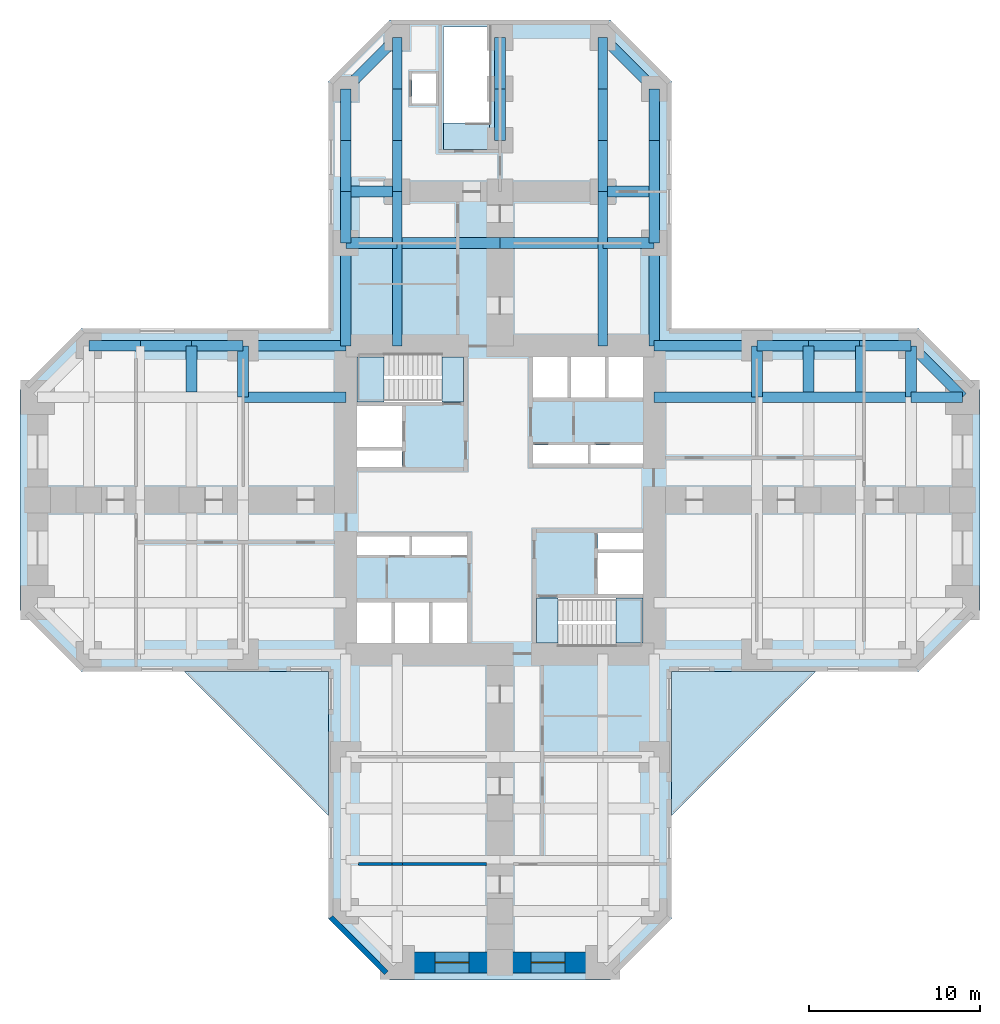
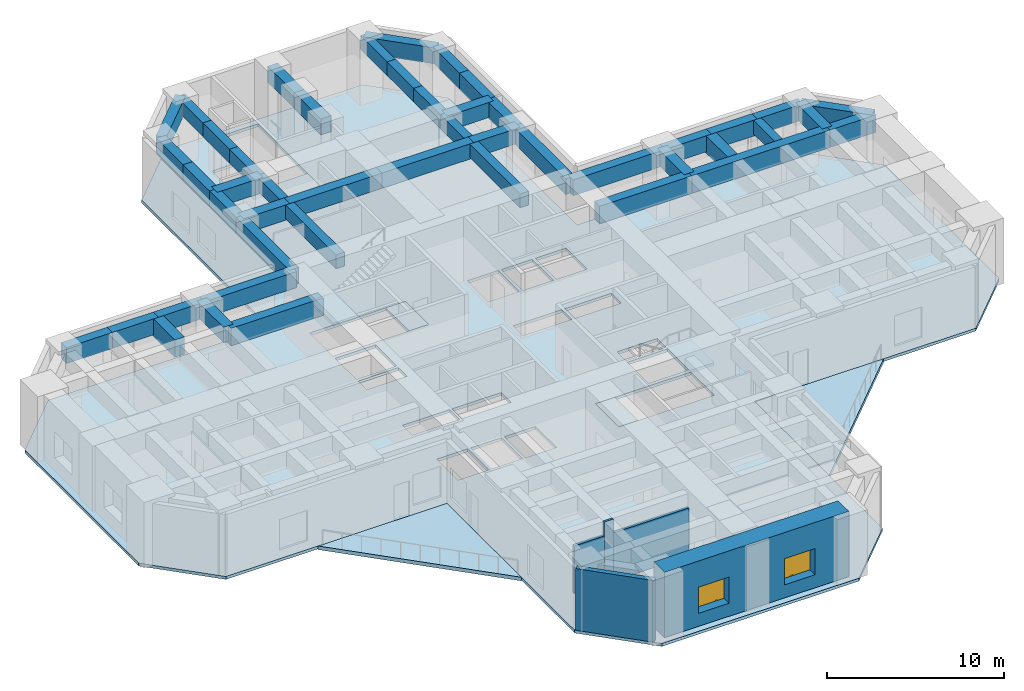
# One storey, part 2 of 8: 47 beams, 8 slabs, 5 walls, 2 windows, 2 openings, 2 elements without a shape of their own.
"""IFC4 building model written with IfcOpenShell, lengths in metres."""

from ifc_helpers import new_model, si_unit, direction, frame, frame_2d, origin, origin_2d, place, context, subcontext, project, spatial, polyline, rectangle, hollow_rectangle, outline, extrude, material, layer, layer_set, constituent, constituent_set, material_profile, profile_set, type_object, element, fill, aggregate, save


model = new_model("IFC4")

# Units and contexts
model_context = context("Model", 3, precision=1e-05, world=origin(), true_north=direction((0.0, 1.0)))
body_context = subcontext(model_context, "Body", "Model", "MODEL_VIEW")
ifc_project = project(units=[si_unit("LENGTHUNIT", "METRE"), si_unit("AREAUNIT", "SQUARE_METRE"), si_unit("VOLUMEUNIT", "CUBIC_METRE"), si_unit("PLANEANGLEUNIT", "RADIAN"), si_unit("MASSUNIT", "GRAM", prefix="KILO")], contexts=[model_context])

# Site, building, storey
site_placement = place(None, origin())
site = spatial("IfcSite", under=ifc_project, at=site_placement, CompositionType="ELEMENT")
building_placement = place(site_placement, origin())
building = spatial("IfcBuilding", under=site, at=building_placement, Name="Torre Cruceta", CompositionType="ELEMENT")
storey_placement = place(building_placement, frame((0.0, 0.0, 14.0)))
storey = spatial("IfcBuildingStorey", under=building, at=storey_placement, Name="L03", CompositionType="ELEMENT", Elevation=14.0)

# Beams
ifc_material_1 = material(Name="Concrete G60 (fck 60 MPa)", Category="concrete")
ifc_material_profile_1 = material_profile(ifc_material_1, rectangle(XDim=0.64990234375, YDim=1.10009765625, at=origin_2d()), Name="RC 650X1100")
ifc_profile_set_1 = profile_set([ifc_material_profile_1], Name="Concrete G60 (fck 60 MPa)")
beam_type_1 = type_object("IfcBeamType", Name="ARM CENTRE BEAM RC 650X1100", PredefinedType="BEAM", material=ifc_profile_set_1)
for number, where, z_axis, x_axis, name in (
    (1, (0.0, 21.0, 3.699951171875), (0.0, 1.0, 0.0), (-1.0, 0.0, 0.0), "MB2 L03 N centre 1"),
    (2, (0.0, 24.0, 3.699951171875), (0.0, 1.0, 0.0), (-1.0, 0.0, 0.0), "MB2 L03 N centre 2"),
):
    element("IfcBeam", number, at=place(storey_placement, frame(where, z_axis=z_axis, x_axis=x_axis)), inside=storey, type_object=beam_type_1, Name=name, PredefinedType="BEAM", context=body_context, shape_type="SweptSolid", body=[
        extrude(rectangle(XDim=0.64990234375, YDim=1.10009765625, at=origin_2d()), origin(), (0.0, 0.0, 1.0), 3.0),
    ])
ifc_material_2 = material(Name="Concrete G60 (fck 60 MPa)", Category="concrete")
ifc_material_profile_2 = material_profile(ifc_material_2, rectangle(XDim=0.550048828125, YDim=0.949951171875, at=origin_2d()), Name="RC 550X950")
ifc_profile_set_2 = profile_set([ifc_material_profile_2], Name="Concrete G60 (fck 60 MPa)")
beam_type_2 = type_object("IfcBeamType", Name="COLUMN LINE BEAM RC 550X950", PredefinedType="BEAM", material=ifc_profile_set_2)
beam_1_placement = place(storey_placement, frame((6.0, 9.0, 3.77490234375), z_axis=(0.0, 1.0, 0.0), x_axis=(-1.0, 0.0, 0.0)))
element("IfcBeam", 3, at=beam_1_placement, inside=storey, type_object=beam_type_2, Name="LB3 L03 N col- 1", PredefinedType="BEAM", context=body_context, shape_type="SweptSolid", body=[
    extrude(rectangle(XDim=0.550048828125, YDim=0.949951171875, at=origin_2d()), origin(), (0.0, 0.0, 1.0), 6.0),
])
for number, where, z_axis, x_axis, name in (
    (4, (6.0, 15.0, 3.77490234375), (0.0, 1.0, 0.0), (-1.0, 0.0, 0.0), "LB3 L03 N col- 2"),
    (5, (6.0, 18.0, 3.77490234375), (0.0, 1.0, 0.0), (-1.0, 0.0, 0.0), "LB3 L03 N col- 3"),
    (6, (6.0, 21.0, 3.77490234375), (0.0, 1.0, 0.0), (-1.0, 0.0, 0.0), "LB3 L03 N col- 4"),
    (7, (6.0, 24.0, 3.77490234375), (0.0, 1.0, 0.0), (-1.0, 0.0, 0.0), "LB3 L03 N col- 5"),
):
    element("IfcBeam", number, at=place(storey_placement, frame(where, z_axis=z_axis, x_axis=x_axis)), inside=storey, type_object=beam_type_2, Name=name, PredefinedType="BEAM", context=body_context, shape_type="SweptSolid", body=[
        extrude(rectangle(XDim=0.550048828125, YDim=0.949951171875, at=origin_2d()), origin(), (0.0, 0.0, 1.0), 3.0),
    ])
beam_2_placement = place(storey_placement, frame((-6.0, 9.0, 3.77490234375), z_axis=(0.0, 1.0, 0.0), x_axis=(-1.0, 0.0, 0.0)))
element("IfcBeam", 8, at=beam_2_placement, inside=storey, type_object=beam_type_2, Name="LB3 L03 N col+ 1", PredefinedType="BEAM", context=body_context, shape_type="SweptSolid", body=[
    extrude(rectangle(XDim=0.550048828125, YDim=0.949951171875, at=origin_2d()), origin(), (0.0, 0.0, 1.0), 6.0),
])
for number, where, z_axis, x_axis, name in (
    (9, (-6.0, 15.0, 3.77490234375), (0.0, 1.0, 0.0), (-1.0, 0.0, 0.0), "LB3 L03 N col+ 2"),
    (10, (-6.0, 18.0, 3.77490234375), (0.0, 1.0, 0.0), (-1.0, 0.0, 0.0), "LB3 L03 N col+ 3"),
    (11, (-6.0, 21.0, 3.77490234375), (0.0, 1.0, 0.0), (-1.0, 0.0, 0.0), "LB3 L03 N col+ 4"),
    (12, (-6.0, 24.0, 3.77490234375), (0.0, 1.0, 0.0), (-1.0, 0.0, 0.0), "LB3 L03 N col+ 5"),
):
    element("IfcBeam", number, at=place(storey_placement, frame(where, z_axis=z_axis, x_axis=x_axis)), inside=storey, type_object=beam_type_2, Name=name, PredefinedType="BEAM", context=body_context, shape_type="SweptSolid", body=[
        extrude(rectangle(XDim=0.550048828125, YDim=0.949951171875, at=origin_2d()), origin(), (0.0, 0.0, 1.0), 3.0),
    ])
ifc_material_3 = material(Name="Concrete G60 (fck 60 MPa)", Category="concrete")
ifc_material_profile_3 = material_profile(ifc_material_3, rectangle(XDim=0.60009765625, YDim=1.199951171875, at=origin_2d()), Name="RC 600X1200")
ifc_profile_set_3 = profile_set([ifc_material_profile_3], Name="Concrete G60 (fck 60 MPa)")
beam_type_3 = type_object("IfcBeamType", Name="COLUMN LINE BEAM RC 600X1200", PredefinedType="BEAM", material=ifc_profile_set_3)
beam_3_placement = place(storey_placement, frame((9.0, 6.0, 3.64990234375), z_axis=(1.0, 0.0, 0.0), x_axis=(0.0, 1.0, 0.0)))
element("IfcBeam", 13, at=beam_3_placement, inside=storey, type_object=beam_type_3, Name="LB2 L03 E col+ 1", PredefinedType="BEAM", context=body_context, shape_type="SweptSolid", body=[
    extrude(rectangle(XDim=0.60009765625, YDim=1.199951171875, at=origin_2d()), origin(), (0.0, 0.0, 1.0), 6.0),
])
beam_4_placement = place(storey_placement, frame((15.0, 6.0, 3.64990234375), z_axis=(1.0, 0.0, 0.0), x_axis=(0.0, 1.0, 0.0)))
element("IfcBeam", 14, at=beam_4_placement, inside=storey, type_object=beam_type_3, Name="LB2 L03 E col+ 2", PredefinedType="BEAM", context=body_context, shape_type="SweptSolid", body=[
    extrude(rectangle(XDim=0.60009765625, YDim=1.199951171875, at=origin_2d()), origin(), (0.0, 0.0, 1.0), 9.0),
])
beam_5_placement = place(storey_placement, frame((24.0, 6.0, 3.64990234375), z_axis=(1.0, 0.0, 0.0), x_axis=(0.0, 1.0, 0.0)))
element("IfcBeam", 15, at=beam_5_placement, inside=storey, type_object=beam_type_3, Name="LB2 L03 E col+ 5", PredefinedType="BEAM", context=body_context, shape_type="SweptSolid", body=[
    extrude(rectangle(XDim=0.60009765625, YDim=1.199951171875, at=origin_2d()), origin(), (0.0, 0.0, 1.0), 3.0),
])
beam_6_placement = place(storey_placement, frame((-9.0, 6.0, 3.64990234375), z_axis=(-1.0, 0.0, 0.0), x_axis=(0.0, -1.0, 0.0)))
element("IfcBeam", 16, at=beam_6_placement, inside=storey, type_object=beam_type_3, Name="LB2 L03 W col- 1", PredefinedType="BEAM", context=body_context, shape_type="SweptSolid", body=[
    extrude(rectangle(XDim=0.60009765625, YDim=1.199951171875, at=origin_2d()), origin(), (0.0, 0.0, 1.0), 6.0),
])
ifc_material_4 = material(Name="Concrete G60 (fck 60 MPa)", Category="concrete")
ifc_material_profile_4 = material_profile(ifc_material_4, rectangle(XDim=0.64990234375, YDim=1.050048828125, at=origin_2d()), Name="RC 650X1050")
ifc_profile_set_4 = profile_set([ifc_material_profile_4], Name="Concrete G60 (fck 60 MPa)")
beam_type_4 = type_object("IfcBeamType", Name="CROSS BEAM RC 650X1050", PredefinedType="BEAM", material=ifc_profile_set_4)
beam_7_placement = place(storey_placement, frame((9.0, 15.0, 3.72509765625), z_axis=(-1.0, 0.0, 0.0), x_axis=(0.0, -1.0, 0.0)))
element("IfcBeam", 17, at=beam_7_placement, inside=storey, type_object=beam_type_4, Name="GB3 L03 N cross15 1", PredefinedType="BEAM", context=body_context, shape_type="SweptSolid", body=[
    extrude(rectangle(XDim=0.64990234375, YDim=1.050048828125, at=origin_2d()), origin(), (0.0, 0.0, 1.0), 3.0),
])
for number, where, z_axis, x_axis, name in (
    (18, (6.0, 15.0, 3.72509765625), (-1.0, 0.0, 0.0), (0.0, -1.0, 0.0), "GB3 L03 N cross15 2"),
    (19, (0.0, 15.0, 3.72509765625), (-1.0, 0.0, 0.0), (0.0, -1.0, 0.0), "GB3 L03 N cross15 3"),
):
    element("IfcBeam", number, at=place(storey_placement, frame(where, z_axis=z_axis, x_axis=x_axis)), inside=storey, type_object=beam_type_4, Name=name, PredefinedType="BEAM", context=body_context, shape_type="SweptSolid", body=[
        extrude(rectangle(XDim=0.64990234375, YDim=1.050048828125, at=origin_2d()), origin(), (0.0, 0.0, 1.0), 6.0),
    ])
for number, where, z_axis, x_axis, name in (
    (20, (-6.0, 15.0, 3.72509765625), (-1.0, 0.0, 0.0), (0.0, -1.0, 0.0), "GB3 L03 N cross15 4"),
    (21, (9.0, 18.0, 3.72509765625), (-1.0, 0.0, 0.0), (0.0, -1.0, 0.0), "GB3 L03 N cross18 1"),
    (22, (-6.0, 18.0, 3.72509765625), (-1.0, 0.0, 0.0), (0.0, -1.0, 0.0), "GB3 L03 N cross18b 1"),
    (23, (15.0, 6.0, 3.72509765625), (0.0, 1.0, 0.0), (-1.0, 0.0, 0.0), "GB3 L03 E cross15 4"),
    (24, (24.0, 6.0, 3.72509765625), (0.0, 1.0, 0.0), (-1.0, 0.0, 0.0), "GB3 L03 E cross24 4"),
    (25, (-15.0, 9.0, 3.72509765625), (0.0, -1.0, 0.0), (1.0, 0.0, 0.0), "GB3 L03 W cross15 1"),
):
    element("IfcBeam", number, at=place(storey_placement, frame(where, z_axis=z_axis, x_axis=x_axis)), inside=storey, type_object=beam_type_4, Name=name, PredefinedType="BEAM", context=body_context, shape_type="SweptSolid", body=[
        extrude(rectangle(XDim=0.64990234375, YDim=1.050048828125, at=origin_2d()), origin(), (0.0, 0.0, 1.0), 3.0),
    ])
ifc_material_5 = material(Name="Concrete G60 (fck 60 MPa)", Category="concrete")
ifc_material_profile_5 = material_profile(ifc_material_5, rectangle(XDim=0.64990234375, YDim=1.199951171875, at=origin_2d()), Name="RC 650X1200")
ifc_profile_set_5 = profile_set([ifc_material_profile_5], Name="Concrete G60 (fck 60 MPa)")
beam_type_5 = type_object("IfcBeamType", Name="CROSS BEAM RC 650X1200", PredefinedType="BEAM", material=ifc_profile_set_5)
for number, where, z_axis, x_axis, name in (
    (26, (18.0, 6.300048828125, 3.64990234375), (0.0, 1.0, 0.0), (-1.0, 0.0, 0.0), "GB2 L03 E cross18 4"),
    (27, (-18.0, 9.0, 3.64990234375), (0.0, -1.0, 0.0), (1.0, 0.0, 0.0), "GB2 L03 W cross18 1"),
):
    element("IfcBeam", number, at=place(storey_placement, frame(where, z_axis=z_axis, x_axis=x_axis)), inside=storey, type_object=beam_type_5, Name=name, PredefinedType="BEAM", context=body_context, shape_type="SweptSolid", body=[
        extrude(rectangle(XDim=0.64990234375, YDim=1.199951171875, at=origin_2d()), origin(), (0.0, 0.0, 1.0), 2.699951171875),
    ])
ifc_material_6 = material(Name="Concrete G60 (fck 60 MPa)", Category="concrete")
ifc_material_profile_6 = material_profile(ifc_material_6, rectangle(XDim=0.5, YDim=0.949951171875, at=origin_2d()), Name="RC 500X950")
ifc_profile_set_6 = profile_set([ifc_material_profile_6], Name="Concrete G60 (fck 60 MPa)")
beam_type_6 = type_object("IfcBeamType", Name="SECONDARY BEAM RC 500X950", PredefinedType="JOIST", material=ifc_profile_set_6)
beam_8_placement = place(storey_placement, frame((21.0, 6.300048828125, 3.77490234375), z_axis=(0.0, 1.0, 0.0), x_axis=(-1.0, 0.0, 0.0)))
element("IfcBeam", 28, at=beam_8_placement, inside=storey, type_object=beam_type_6, Name="JB2 L03 E sec21 4", PredefinedType="JOIST", context=body_context, shape_type="SweptSolid", body=[
    extrude(rectangle(XDim=0.5, YDim=0.949951171875, at=origin_2d()), origin(), (0.0, 0.0, 1.0), 2.699951171875),
])
ifc_material_7 = material(Name="Concrete G60 (fck 60 MPa)", Category="concrete")
ifc_material_profile_7 = material_profile(ifc_material_7, rectangle(XDim=0.60009765625, YDim=1.10009765625, at=origin_2d()), Name="RC 600X1100")
ifc_profile_set_7 = profile_set([ifc_material_profile_7], Name="Concrete G60 (fck 60 MPa)")
beam_type_7 = type_object("IfcBeamType", Name="SPANDREL BEAM RC 600X1100", PredefinedType="SPANDREL", material=ifc_profile_set_7)
beam_9_placement = place(storey_placement, frame((9.0, 9.0, 3.699951171875), z_axis=(0.0, 1.0, 0.0), x_axis=(-1.0, 0.0, 0.0)))
element("IfcBeam", 29, at=beam_9_placement, inside=storey, type_object=beam_type_7, Name="SB2 L03 N side- 1", PredefinedType="SPANDREL", context=body_context, shape_type="SweptSolid", body=[
    extrude(rectangle(XDim=0.60009765625, YDim=1.10009765625, at=origin_2d()), origin(), (0.0, 0.0, 1.0), 6.0),
])
for number, where, z_axis, x_axis, name in (
    (30, (9.0, 15.0, 3.699951171875), (0.0, 1.0, 0.0), (-1.0, 0.0, 0.0), "SB2 L03 N side- 2"),
    (31, (9.0, 18.0, 3.699951171875), (0.0, 1.0, 0.0), (-1.0, 0.0, 0.0), "SB2 L03 N side- 3"),
    (32, (9.0, 21.0, 3.699951171875), (0.0, 1.0, 0.0), (-1.0, 0.0, 0.0), "SB2 L03 N side- 4"),
):
    element("IfcBeam", number, at=place(storey_placement, frame(where, z_axis=z_axis, x_axis=x_axis)), inside=storey, type_object=beam_type_7, Name=name, PredefinedType="SPANDREL", context=body_context, shape_type="SweptSolid", body=[
        extrude(rectangle(XDim=0.60009765625, YDim=1.10009765625, at=origin_2d()), origin(), (0.0, 0.0, 1.0), 3.0),
    ])
beam_10_placement = place(storey_placement, frame((9.0, 24.0, 3.699951171875), z_axis=(-0.707106781187, 0.707106781187, 0.0), x_axis=(-0.707106781187, -0.707106781187, 0.0)))
element("IfcBeam", 33, at=beam_10_placement, inside=storey, type_object=beam_type_7, Name="SB2 L03 N side- 5", PredefinedType="SPANDREL", context=body_context, shape_type="SweptSolid", body=[
    extrude(rectangle(XDim=0.60009765625, YDim=1.10009765625, at=origin_2d()), origin(), (0.0, 0.0, 1.0), 4.24267578125),
])
beam_11_placement = place(storey_placement, frame((-9.0, 9.0, 3.699951171875), z_axis=(0.0, 1.0, 0.0), x_axis=(-1.0, 0.0, 0.0)))
element("IfcBeam", 34, at=beam_11_placement, inside=storey, type_object=beam_type_7, Name="SB2 L03 N side+ 1", PredefinedType="SPANDREL", context=body_context, shape_type="SweptSolid", body=[
    extrude(rectangle(XDim=0.60009765625, YDim=1.10009765625, at=origin_2d()), origin(), (0.0, 0.0, 1.0), 6.0),
])
for number, where, z_axis, x_axis, name in (
    (35, (-9.0, 15.0, 3.699951171875), (0.0, 1.0, 0.0), (-1.0, 0.0, 0.0), "SB2 L03 N side+ 2"),
    (36, (-9.0, 18.0, 3.699951171875), (0.0, 1.0, 0.0), (-1.0, 0.0, 0.0), "SB2 L03 N side+ 3"),
    (37, (-9.0, 21.0, 3.699951171875), (0.0, 1.0, 0.0), (-1.0, 0.0, 0.0), "SB2 L03 N side+ 4"),
):
    element("IfcBeam", number, at=place(storey_placement, frame(where, z_axis=z_axis, x_axis=x_axis)), inside=storey, type_object=beam_type_7, Name=name, PredefinedType="SPANDREL", context=body_context, shape_type="SweptSolid", body=[
        extrude(rectangle(XDim=0.60009765625, YDim=1.10009765625, at=origin_2d()), origin(), (0.0, 0.0, 1.0), 3.0),
    ])
beam_12_placement = place(storey_placement, frame((-9.0, 24.0, 3.699951171875), z_axis=(0.707106781187, 0.707106781187, 0.0), x_axis=(-0.707106781187, 0.707106781187, 0.0)))
element("IfcBeam", 38, at=beam_12_placement, inside=storey, type_object=beam_type_7, Name="SB2 L03 N side+ 5", PredefinedType="SPANDREL", context=body_context, shape_type="SweptSolid", body=[
    extrude(rectangle(XDim=0.60009765625, YDim=1.10009765625, at=origin_2d()), origin(), (0.0, 0.0, 1.0), 4.24267578125),
])
beam_13_placement = place(storey_placement, frame((9.0, 9.0, 3.699951171875), z_axis=(1.0, 0.0, 0.0), x_axis=(0.0, 1.0, 0.0)))
element("IfcBeam", 39, at=beam_13_placement, inside=storey, type_object=beam_type_7, Name="SB2 L03 E side+ 1", PredefinedType="SPANDREL", context=body_context, shape_type="SweptSolid", body=[
    extrude(rectangle(XDim=0.60009765625, YDim=1.10009765625, at=origin_2d()), origin(), (0.0, 0.0, 1.0), 6.0),
])
for number, where, z_axis, x_axis, name in (
    (40, (15.0, 9.0, 3.699951171875), (1.0, 0.0, 0.0), (0.0, 1.0, 0.0), "SB2 L03 E side+ 2"),
    (41, (18.0, 9.0, 3.699951171875), (1.0, 0.0, 0.0), (0.0, 1.0, 0.0), "SB2 L03 E side+ 3"),
    (42, (21.0, 9.0, 3.699951171875), (1.0, 0.0, 0.0), (0.0, 1.0, 0.0), "SB2 L03 E side+ 4"),
):
    element("IfcBeam", number, at=place(storey_placement, frame(where, z_axis=z_axis, x_axis=x_axis)), inside=storey, type_object=beam_type_7, Name=name, PredefinedType="SPANDREL", context=body_context, shape_type="SweptSolid", body=[
        extrude(rectangle(XDim=0.60009765625, YDim=1.10009765625, at=origin_2d()), origin(), (0.0, 0.0, 1.0), 3.0),
    ])
beam_14_placement = place(storey_placement, frame((24.0, 9.0, 3.699951171875), z_axis=(0.707106781187, -0.707106781187, 0.0), x_axis=(0.707106781187, 0.707106781187, 0.0)))
element("IfcBeam", 43, at=beam_14_placement, inside=storey, type_object=beam_type_7, Name="SB2 L03 E side+ 5", PredefinedType="SPANDREL", context=body_context, shape_type="SweptSolid", body=[
    extrude(rectangle(XDim=0.60009765625, YDim=1.10009765625, at=origin_2d()), origin(), (0.0, 0.0, 1.0), 4.24267578125),
])
beam_15_placement = place(storey_placement, frame((-9.0, 9.0, 3.699951171875), z_axis=(-1.0, 0.0, 0.0), x_axis=(0.0, -1.0, 0.0)))
element("IfcBeam", 44, at=beam_15_placement, inside=storey, type_object=beam_type_7, Name="SB2 L03 W side- 1", PredefinedType="SPANDREL", context=body_context, shape_type="SweptSolid", body=[
    extrude(rectangle(XDim=0.60009765625, YDim=1.10009765625, at=origin_2d()), origin(), (0.0, 0.0, 1.0), 6.0),
])
for number, where, z_axis, x_axis, name in (
    (45, (-15.0, 9.0, 3.699951171875), (-1.0, 0.0, 0.0), (0.0, -1.0, 0.0), "SB2 L03 W side- 2"),
    (46, (-18.0, 9.0, 3.699951171875), (-1.0, 0.0, 0.0), (0.0, -1.0, 0.0), "SB2 L03 W side- 3"),
    (47, (-21.0, 9.0, 3.699951171875), (-1.0, 0.0, 0.0), (0.0, -1.0, 0.0), "SB2 L03 W side- 4"),
):
    element("IfcBeam", number, at=place(storey_placement, frame(where, z_axis=z_axis, x_axis=x_axis)), inside=storey, type_object=beam_type_7, Name=name, PredefinedType="SPANDREL", context=body_context, shape_type="SweptSolid", body=[
        extrude(rectangle(XDim=0.60009765625, YDim=1.10009765625, at=origin_2d()), origin(), (0.0, 0.0, 1.0), 3.0),
    ])

# Slab
ifc_material_8 = material(Name="Concrete G35 (fck 35 MPa)", Category="concrete")
ifc_layer_1 = layer(ifc_material_8, 0.199951171875)
ifc_layer_set_1 = layer_set([ifc_layer_1], Name="Concrete G35 (fck 35 MPa)")
slab_type_1 = type_object("IfcSlabType", Name="FLOOR SLAB 200", PredefinedType="FLOOR", material=ifc_layer_set_1)
slab_1_placement = place(storey_placement, frame((0.0, 0.0, -0.199951171875)))
element("IfcSlab", 48, at=slab_1_placement, inside=storey, type_object=slab_type_1, Name="Floor Slab L03", PredefinedType="FLOOR", context=body_context, shape_type="SweptSolid", body=[
    extrude(outline(polyline([(10.02001953125, -10.02001953125), (10.02001953125, -24.422607421875), (6.422607421875, -28.02001953125), (-6.422607421875, -28.02001953125), (-10.02001953125, -24.422607421875), (-10.02001953125, -10.02001953125), (-24.422607421875, -10.02001953125), (-28.02001953125, -6.422607421875), (-28.02001953125, 6.422607421875), (-24.422607421875, 10.02001953125), (-10.02001953125, 10.02001953125), (-10.02001953125, 24.422607421875), (-6.422607421875, 28.02001953125), (6.422607421875, 28.02001953125), (10.02001953125, 24.422607421875), (10.02001953125, 10.02001953125), (24.422607421875, 10.02001953125), (28.02001953125, 6.422607421875), (28.02001953125, -6.422607421875), (24.422607421875, -10.02001953125), (10.02001953125, -10.02001953125)]), holes=[polyline([(1.925048828125, 5.97509765625), (3.933349609375, 5.97509765625), (3.933349609375, 8.35009765625), (1.925048828125, 8.35009765625), (1.925048828125, 5.97509765625)]), polyline([(4.13330078125, 5.97509765625), (6.1416015625, 5.97509765625), (6.1416015625, 8.35009765625), (4.13330078125, 8.35009765625), (4.13330078125, 5.97509765625)]), polyline([(6.341552734375, 5.97509765625), (8.35009765625, 5.97509765625), (8.35009765625, 8.35009765625), (6.341552734375, 8.35009765625), (6.341552734375, 5.97509765625)]), polyline([(1.925048828125, 2.125), (5.125, 2.125), (5.125, 3.22509765625), (1.925048828125, 3.22509765625), (1.925048828125, 2.125)]), polyline([(5.27490234375, 2.125), (8.35009765625, 2.125), (8.35009765625, 3.22509765625), (5.27490234375, 3.22509765625), (5.27490234375, 2.125)]), polyline([(-8.35009765625, 3.10009765625), (-5.72509765625, 3.10009765625), (-5.72509765625, 5.47509765625), (-8.35009765625, 5.47509765625), (-8.35009765625, 3.10009765625)]), polyline([(-8.35009765625, 1.925048828125), (-5.72509765625, 1.925048828125), (-5.72509765625, 2.89990234375), (-8.35009765625, 2.89990234375), (-8.35009765625, 1.925048828125)]), polyline([(-3.933349609375, -8.35009765625), (-1.925048828125, -8.35009765625), (-1.925048828125, -5.97509765625), (-3.933349609375, -5.97509765625), (-3.933349609375, -8.35009765625)]), polyline([(-6.1416015625, -8.35009765625), (-4.13330078125, -8.35009765625), (-4.13330078125, -5.97509765625), (-6.1416015625, -5.97509765625), (-6.1416015625, -8.35009765625)]), polyline([(-8.35009765625, -8.35009765625), (-6.341552734375, -8.35009765625), (-6.341552734375, -5.97509765625), (-8.35009765625, -5.97509765625), (-8.35009765625, -8.35009765625)]), polyline([(-5.125, -3.22509765625), (-1.925048828125, -3.22509765625), (-1.925048828125, -2.125), (-5.125, -2.125), (-5.125, -3.22509765625)]), polyline([(-8.35009765625, -3.22509765625), (-5.27490234375, -3.22509765625), (-5.27490234375, -2.125), (-8.35009765625, -2.125), (-8.35009765625, -3.22509765625)]), polyline([(5.72509765625, -5.47509765625), (8.35009765625, -5.47509765625), (8.35009765625, -3.10009765625), (5.72509765625, -3.10009765625), (5.72509765625, -5.47509765625)]), polyline([(5.72509765625, -2.89990234375), (8.35009765625, -2.89990234375), (8.35009765625, -1.925048828125), (5.72509765625, -1.925048828125), (5.72509765625, -2.89990234375)]), polyline([(-8.35009765625, 5.72509765625), (-8.35009765625, 8.35009765625), (-3.39990234375, 8.35009765625), (-2.125, 8.35009765625), (-2.125, 5.72509765625), (-3.39990234375, 5.72509765625), (-8.35009765625, 5.72509765625)]), polyline([(2.125, -5.72509765625), (3.39990234375, -5.72509765625), (8.35009765625, -5.72509765625), (8.35009765625, -8.35009765625), (3.39990234375, -8.35009765625), (2.125, -8.35009765625), (2.125, -5.72509765625)]), polyline([(-0.60009765625, 20.449951171875), (-0.60009765625, 27.6201171875), (-3.300048828125, 27.6201171875), (-3.300048828125, 20.449951171875), (-0.60009765625, 20.449951171875)]), polyline([(-3.75, 23.14990234375), (-3.75, 24.89990234375), (-5.14990234375, 24.89990234375), (-5.14990234375, 23.14990234375), (-3.75, 23.14990234375)])]), origin(), (0.0, 0.0, 1.0), 0.199951171875),
])

# Stair, slab
ifc_material_9 = material(Name="Concrete G30 (fck 30 MPa)", Category="concrete")
stair_type = type_object("IfcStairType", Name="STAIR HALF-TURN 1300", PredefinedType="HALF_TURN_STAIR", material=ifc_material_9)
stair_1_placement = place(storey_placement, origin())
stair_1 = element("IfcStair", 49, at=stair_1_placement, inside=storey, type_object=stair_type, Name="Stair ST1 L03", PredefinedType="HALF_TURN_STAIR")
ifc_material_10 = material(Name="Concrete G30 (fck 30 MPa)", Category="concrete")
ifc_layer_2 = layer(ifc_material_10, 0.199951171875)
ifc_layer_set_2 = layer_set([ifc_layer_2], Name="Concrete G30 (fck 30 MPa)")
slab_type_2 = type_object("IfcSlabType", Name="STAIR LANDING 200", PredefinedType="LANDING", material=ifc_layer_set_2)
slab_2_placement = place(storey_placement, frame((0.0, 0.0, 2.050048828125)))
slab_2 = element("IfcSlab", 50, at=slab_2_placement, type_object=slab_type_2, Name="ST1 landing 1", PredefinedType="LANDING", context=body_context, shape_type="SweptSolid", body=[
    extrude(outline(polyline([(-8.35009765625, 5.72509765625), (-6.760009765625, 5.72509765625), (-6.760009765625, 8.35009765625), (-8.35009765625, 8.35009765625), (-8.35009765625, 5.72509765625)])), origin(), (0.0, 0.0, 1.0), 0.199951171875),
])
aggregate(stair_1, [slab_2])

stair_2_placement = place(storey_placement, origin())
stair_2 = element("IfcStair", 51, at=stair_2_placement, inside=storey, type_object=stair_type, Name="Stair ST2 L03", PredefinedType="HALF_TURN_STAIR")
slab_3_placement = place(storey_placement, frame((0.0, 0.0, 2.050048828125)))
slab_3 = element("IfcSlab", 52, at=slab_3_placement, type_object=slab_type_2, Name="ST2 landing 1", PredefinedType="LANDING", context=body_context, shape_type="SweptSolid", body=[
    extrude(outline(polyline([(6.760009765625, -8.35009765625), (8.35009765625, -8.35009765625), (8.35009765625, -5.72509765625), (6.760009765625, -5.72509765625), (6.760009765625, -8.35009765625)])), origin(), (0.0, 0.0, 1.0), 0.199951171875),
])
aggregate(stair_2, [slab_3])

# Slabs
slab_4_placement = place(storey_placement, frame((0.0, 0.0, -0.199951171875)))
element("IfcSlab", 53, at=slab_4_placement, inside=storey, type_object=slab_type_2, Name="Stair ST1 floor landing L03", PredefinedType="LANDING", context=body_context, shape_type="SweptSolid", body=[
    extrude(outline(polyline([(-2.125, 8.35009765625), (-2.125, 5.72509765625), (-3.39990234375, 5.72509765625), (-3.39990234375, 8.35009765625), (-2.125, 8.35009765625)])), origin(), (0.0, 0.0, 1.0), 0.199951171875),
])
slab_5_placement = place(storey_placement, frame((0.0, 0.0, -0.199951171875)))
element("IfcSlab", 54, at=slab_5_placement, inside=storey, type_object=slab_type_2, Name="Stair ST2 floor landing L03", PredefinedType="LANDING", context=body_context, shape_type="SweptSolid", body=[
    extrude(outline(polyline([(2.125, -8.35009765625), (2.125, -5.72509765625), (3.39990234375, -5.72509765625), (3.39990234375, -8.35009765625), (2.125, -8.35009765625)])), origin(), (0.0, 0.0, 1.0), 0.199951171875),
])
slab_6_placement = place(storey_placement, frame((0.0, 0.0, -0.199951171875)))
element("IfcSlab", 55, at=slab_6_placement, inside=storey, type_object=slab_type_2, Name="Stair ST3 floor landing L03", PredefinedType="LANDING", context=body_context, shape_type="SweptSolid", body=[
    extrude(outline(polyline([(-0.60009765625, 20.449951171875), (-0.60009765625, 22.0), (-3.300048828125, 22.0), (-3.300048828125, 20.449951171875), (-0.60009765625, 20.449951171875)])), origin(), (0.0, 0.0, 1.0), 0.199951171875),
])
ifc_material_11 = material(Name="Concrete G35 (fck 35 MPa)", Category="concrete")
ifc_layer_3 = layer(ifc_material_11, 0.25)
ifc_layer_set_3 = layer_set([ifc_layer_3], Name="Concrete G35 (fck 35 MPa)")
slab_type_3 = type_object("IfcSlabType", Name="TERRACE SLAB 250", PredefinedType="ROOF", material=ifc_layer_set_3)
slab_7_placement = place(storey_placement, frame((0.0, 0.0, -0.25)))
element("IfcSlab", 56, at=slab_7_placement, inside=storey, type_object=slab_type_3, Name="Terrace slab L03-1", PredefinedType="ROOF", context=body_context, shape_type="SweptSolid", body=[
    extrude(outline(polyline([(-10.02001953125, -10.02001953125), (-10.02001953125, -18.422607421875), (-18.422607421875, -10.02001953125), (-10.02001953125, -10.02001953125)])), origin(), (0.0, 0.0, 1.0), 0.25),
])
slab_8_placement = place(storey_placement, frame((0.0, 0.0, -0.25)))
element("IfcSlab", 57, at=slab_8_placement, inside=storey, type_object=slab_type_3, Name="Terrace slab L03-2", PredefinedType="ROOF", context=body_context, shape_type="SweptSolid", body=[
    extrude(outline(polyline([(10.02001953125, -10.02001953125), (18.422607421875, -10.02001953125), (10.02001953125, -18.422607421875), (10.02001953125, -10.02001953125)])), origin(), (0.0, 0.0, 1.0), 0.25),
])

# Wall
ifc_material_12 = material(Name="Concrete G30 (fck 30 MPa)", Category="concrete")
ifc_layer_4 = layer(ifc_material_12, 0.300048828125)
ifc_layer_set_4 = layer_set([ifc_layer_4], Name="Concrete G30 (fck 30 MPa)")
wall_type_1 = type_object("IfcWallType", Name="EXPOSED CONCRETE FACADE WALL 300", PredefinedType="SOLIDWALL", material=ifc_layer_set_4)
wall_1_placement = place(storey_placement, frame((-9.8701171875, -24.3603515625, 0.0), z_axis=(0.0, 0.0, 1.0), x_axis=(0.707106781187, -0.707106781187, 0.0)))
element("IfcWall", 58, at=wall_1_placement, inside=storey, type_object=wall_type_1, Name="EW1 facade wall L03 S chamfer 16", PredefinedType="SOLIDWALL", context=body_context, shape_type="SweptSolid", body=[
    extrude(rectangle(XDim=4.581787109375, YDim=0.300048828125, at=frame_2d((2.291015625, 0.0))), origin(), (0.0, 0.0, 1.0), 4.25),
])

# Wall, openings, windows
ifc_material_13 = material(Name="Concrete G60 (fck 60 MPa)", Category="concrete")
ifc_layer_5 = layer(ifc_material_13, 1.199951171875)
ifc_layer_set_5 = layer_set([ifc_layer_5], Name="Concrete G60 (fck 60 MPa)")
wall_type_2 = type_object("IfcWallType", Name="NOSE WALL 1200 G60", PredefinedType="SHEAR", material=ifc_layer_set_5)
wall_2_placement = place(storey_placement, frame((-6.0, -27.0, 0.0), z_axis=(0.0, 0.0, 1.0), x_axis=(1.0, 0.0, 0.0)))
wall_2 = element("IfcWall", 59, at=wall_2_placement, inside=storey, type_object=wall_type_2, Name="NW1 nose wall L03 S", PredefinedType="SHEAR", context=body_context, shape_type="SweptSolid", body=[
    extrude(rectangle(XDim=12.0, YDim=1.199951171875, at=frame_2d((6.0, 0.0))), origin(), (0.0, 0.0, 1.0), 4.5),
])
opening_1_placement = place(wall_2_placement, frame((2.199951171875, 0.0, 0.89990234375)))
opening_1 = element("IfcOpeningElement", 60, at=opening_1_placement, cuts=wall_2, Name="Opening WN1", PredefinedType="OPENING", context=body_context, shape_type="SweptSolid", body=[
    extrude(rectangle(XDim=2.0, YDim=1.800048828125, at=frame_2d((1.0, 0.89990234375))), frame((0.0, 0.60986328125, 0.0), z_axis=(0.0, -1.0, 0.0), x_axis=(1.0, 0.0, 0.0)), (0.0, 0.0, 1.0), 1.219970703125),
])
opening_2_placement = place(wall_2_placement, frame((7.800048828125, 0.0, 0.89990234375)))
opening_2 = element("IfcOpeningElement", 61, at=opening_2_placement, cuts=wall_2, Name="Opening WN1", PredefinedType="OPENING", context=body_context, shape_type="SweptSolid", body=[
    extrude(rectangle(XDim=2.0, YDim=1.800048828125, at=frame_2d((1.0, 0.89990234375))), frame((0.0, 0.60986328125, 0.0), z_axis=(0.0, -1.0, 0.0), x_axis=(1.0, 0.0, 0.0)), (0.0, 0.0, 1.0), 1.219970703125),
])
ifc_material_14 = material(Name="Aluminium window frame", Category="aluminium")
ifc_constituent_1 = constituent(ifc_material_14, Name="Frame")
ifc_material_15 = material(Name="Laminated insulating glass unit, low-iron clear", Category="glass")
ifc_constituent_2 = constituent(ifc_material_15, Name="Glazing")
ifc_constituent_set = constituent_set(constituents=[ifc_constituent_1, ifc_constituent_2], Name="Aluminium window")
window_type = type_object("IfcWindowType", Name="SCHOOL WINDOW 2000X1800", PartitioningType="SINGLE_PANEL", PredefinedType="WINDOW", material=ifc_constituent_set)
window_1_placement = place(opening_1_placement, origin())
window_1 = element("IfcWindow", 62, at=window_1_placement, inside=storey, type_object=window_type, Name="WN1 L03 S 1", OverallHeight=1.800048828125, OverallWidth=2.0, PartitioningType="SINGLE_PANEL", PredefinedType="WINDOW", context=body_context, shape_type="SweptSolid", body=[
    extrude(hollow_rectangle(XDim=2.0, YDim=1.800048828125, WallThickness=0.06005859375, at=frame_2d((1.0, 0.89990234375))), frame((0.0, 0.030029296875, 0.0), z_axis=(0.0, -1.0, 0.0), x_axis=(1.0, 0.0, 0.0)), (0.0, 0.0, 1.0), 0.06005859375),
    extrude(rectangle(XDim=1.87890625, YDim=1.678955078125, at=frame_2d((1.0, 0.89990234375))), frame((0.0, 0.030029296875, 0.0), z_axis=(0.0, -1.0, 0.0), x_axis=(1.0, 0.0, 0.0)), (0.0, 0.0, 1.0), 0.06005859375),
])
fill(opening_1, window_1)
window_2_placement = place(opening_2_placement, origin())
window_2 = element("IfcWindow", 63, at=window_2_placement, inside=storey, type_object=window_type, Name="WN1 L03 S 2", OverallHeight=1.800048828125, OverallWidth=2.0, PartitioningType="SINGLE_PANEL", PredefinedType="WINDOW", context=body_context, shape_type="SweptSolid", body=[
    extrude(hollow_rectangle(XDim=2.0, YDim=1.800048828125, WallThickness=0.06005859375, at=frame_2d((1.0, 0.89990234375))), frame((0.0, 0.030029296875, 0.0), z_axis=(0.0, -1.0, 0.0), x_axis=(1.0, 0.0, 0.0)), (0.0, 0.0, 1.0), 0.06005859375),
    extrude(rectangle(XDim=1.87890625, YDim=1.678955078125, at=frame_2d((1.0, 0.89990234375))), frame((0.0, 0.030029296875, 0.0), z_axis=(0.0, -1.0, 0.0), x_axis=(1.0, 0.0, 0.0)), (0.0, 0.0, 1.0), 0.06005859375),
])
fill(opening_2, window_2)

# Walls
ifc_material_16 = material(Name="Plasterboard on steel studs", Category="steel")
ifc_layer_6 = layer(ifc_material_16, 0.14990234375)
ifc_layer_set_6 = layer_set([ifc_layer_6], Name="Plasterboard on steel studs")
wall_type_3 = type_object("IfcWallType", Name="PARTITION 150", PredefinedType="PARTITIONING", material=ifc_layer_set_6)
wall_3_placement = place(storey_placement, frame((-8.25, -21.25, 0.0), z_axis=(0.0, 0.0, 1.0), x_axis=(1.0, 0.0, 0.0)))
element("IfcWall", 64, at=wall_3_placement, inside=storey, type_object=wall_type_3, Name="PT1 L03-S-ENDa", PredefinedType="PARTITIONING", context=body_context, shape_type="SweptSolid", body=[
    extrude(rectangle(XDim=1.949951171875, YDim=0.14990234375, at=frame_2d((0.97509765625, 0.0))), origin(), (0.0, 0.0, 1.0), 3.300048828125),
])
wall_4_placement = place(storey_placement, frame((-6.300048828125, -21.25, 0.0), z_axis=(0.0, 0.0, 1.0), x_axis=(1.0, 0.0, 0.0)))
element("IfcWall", 65, at=wall_4_placement, inside=storey, type_object=wall_type_3, Name="PT1 L03-S-ENDa 2", PredefinedType="PARTITIONING", context=body_context, shape_type="SweptSolid", body=[
    extrude(rectangle(XDim=0.60009765625, YDim=0.14990234375, at=frame_2d((0.300048828125, 0.0))), origin(), (0.0, 0.0, 1.0), 4.25),
])
wall_5_placement = place(storey_placement, frame((-5.699951171875, -21.25, 0.0), z_axis=(0.0, 0.0, 1.0), x_axis=(1.0, 0.0, 0.0)))
element("IfcWall", 66, at=wall_5_placement, inside=storey, type_object=wall_type_3, Name="PT1 L03-S-ENDa 3", PredefinedType="PARTITIONING", context=body_context, shape_type="SweptSolid", body=[
    extrude(rectangle(XDim=4.89990234375, YDim=0.14990234375, at=frame_2d((2.449951171875, 0.0))), origin(), (0.0, 0.0, 1.0), 3.300048828125),
])

save(model, "model.ifc")
